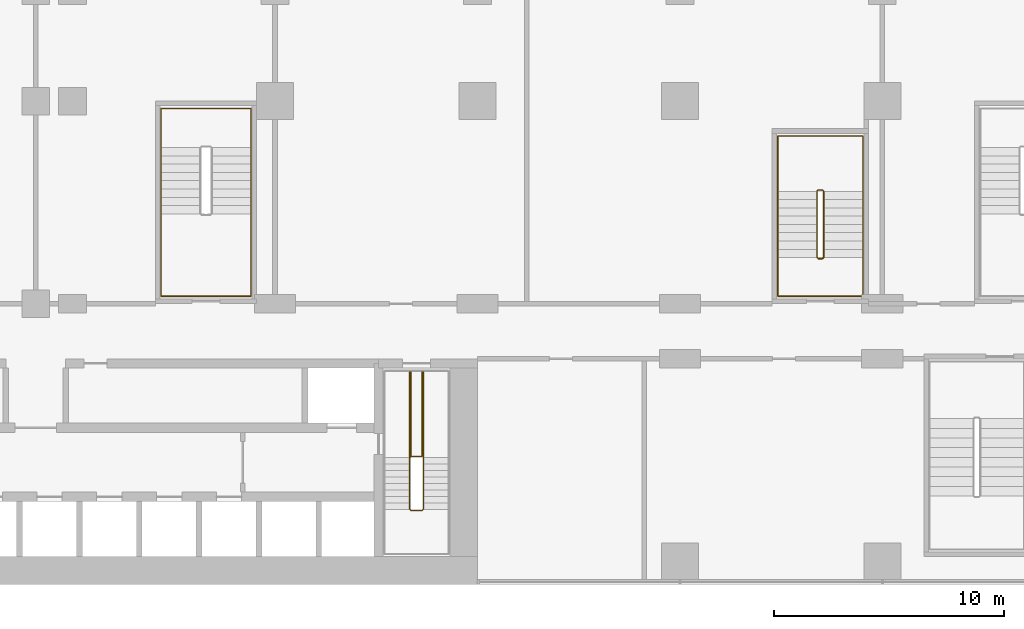
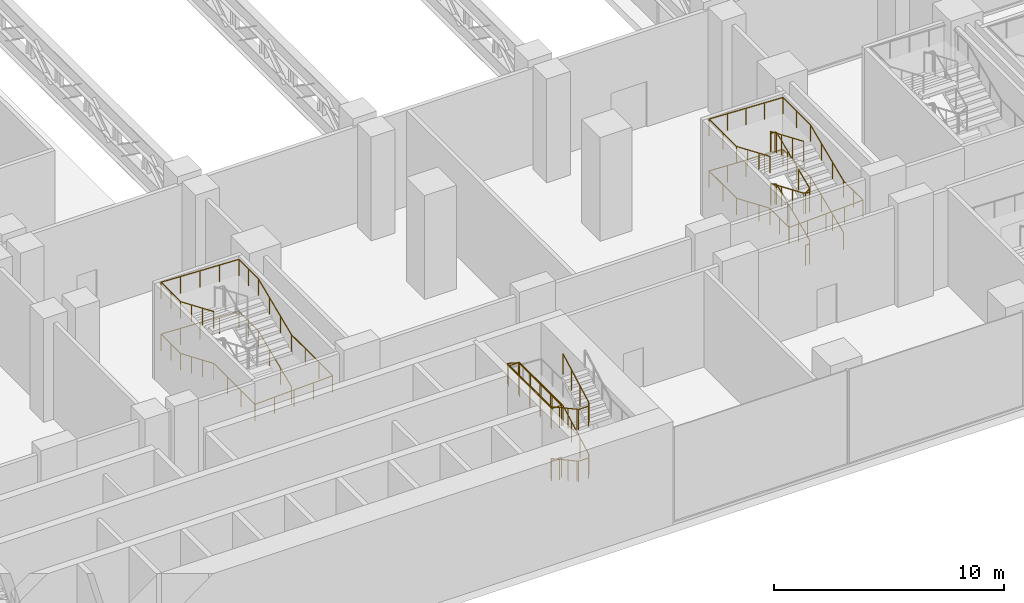
# One storey, part 26 of 30: 4 railings.
"""IFC4 building model written with IfcOpenShell, lengths in metres."""

from ifc_helpers import new_model, si_unit, direction, frame, origin, origin_2d, place, context, subcontext, project, spatial, circle, extrude, material, type_object, element, save


model = new_model("IFC4")

# Units and contexts
model_context = context("Model", 3, precision=1e-05, world=origin(), true_north=direction((0.0, 1.0)))
body_context = subcontext(model_context, "Body", "Model", "MODEL_VIEW")
ifc_project = project(units=[si_unit("LENGTHUNIT", "METRE"), si_unit("AREAUNIT", "SQUARE_METRE"), si_unit("VOLUMEUNIT", "CUBIC_METRE"), si_unit("PLANEANGLEUNIT", "RADIAN"), si_unit("MASSUNIT", "GRAM", prefix="KILO")], contexts=[model_context])

# Site, building, storey
site_placement = place(None, origin())
site = spatial("IfcSite", under=ifc_project, at=site_placement, CompositionType="ELEMENT")
building_placement = place(site_placement, origin())
building = spatial("IfcBuilding", under=site, at=building_placement, Name="Kemantara Hotel Tower", CompositionType="ELEMENT")
storey_placement = place(building_placement, frame((0.0, 0.0, 23.5)))
storey = spatial("IfcBuildingStorey", under=building, at=storey_placement, Name="L04", CompositionType="ELEMENT", Elevation=23.5)

# Railings
ifc_material = material(Name="Stainless steel balustrade", Category="steel")
railing_type_1 = type_object("IfcRailingType", Name="Stair guard 1100 mm", PredefinedType="GUARDRAIL", material=ifc_material)
railing_1_placement = place(storey_placement, frame((42.64990234375, 5.5, 5.5)))
element("IfcRailing", 1, at=railing_1_placement, inside=storey, type_object=railing_type_1, Name="L04 ST2 stair guard 1", PredefinedType="GUARDRAIL", context=body_context, shape_type="SweptSolid", body=[
    extrude(circle(Radius=0.02392578125, at=origin_2d()), frame((0.0, 0.0, 1.076171875), z_axis=(0.0, -0.87783706319, -0.478959382924), x_axis=(1.0, 0.0, 0.0)), (0.0, 0.0, 1.0), 2.5517578125),
    extrude(circle(Radius=0.02392578125, at=origin_2d()), frame((0.0, -2.239990234375, -0.14599609375), z_axis=(-0.295833358201, -0.297283521722, -0.907802363892), x_axis=(0.708833529934, -0.705375805398, 0.0)), (0.0, 0.0, 1.0), 0.16845703125),
    extrude(circle(Radius=0.02392578125, at=origin_2d()), frame((-0.0498046875, -2.2900390625, -0.298828125), z_axis=(-1.0, 0.0, 0.0), x_axis=(0.0, -1.0, 0.0)), (0.0, 0.0, 1.0), 0.5),
    extrude(circle(Radius=0.02392578125, at=origin_2d()), frame((-0.5498046875, -2.2900390625, -0.298828125), z_axis=(-0.707106781187, 0.707106781187, 0.0), x_axis=(-0.707106781187, -0.707106781187, 0.0)), (0.0, 0.0, 1.0), 0.07080078125),
    extrude(circle(Radius=0.02392578125, at=origin_2d()), frame((-0.599853515625, -2.239990234375, -0.298828125), z_axis=(0.0, 0.87783706319, -0.478959382924), x_axis=(-1.0, 0.0, 0.0)), (0.0, 0.0, 1.0), 2.5517578125),
    extrude(circle(Radius=0.02392578125, at=origin_2d()), frame((-0.599853515625, 0.0, -1.52099609375), z_axis=(0.0, 1.0, 0.0), x_axis=(-1.0, 0.0, 0.0)), (0.0, 0.0, 1.0), 3.780029296875),
    extrude(circle(Radius=0.02392578125, at=origin_2d()), frame((-0.599853515625, 3.780029296875, -1.52099609375), z_axis=(0.963499526908, 0.0, -0.267710032776), x_axis=(0.0, 1.0, 0.0)), (0.0, 0.0, 1.0), 0.57080078125),
    extrude(circle(Radius=0.02392578125, at=origin_2d()), frame((-0.0498046875, 3.780029296875, -1.673828125), z_axis=(0.0, -1.0, 0.0), x_axis=(1.0, 0.0, 0.0)), (0.0, 0.0, 1.0), 3.72998046875),
    extrude(circle(Radius=0.02392578125, at=origin_2d()), frame((-0.0498046875, 0.050048828125, -1.673828125), z_axis=(-1.0, 0.0, 0.0), x_axis=(0.0, -1.0, 0.0)), (0.0, 0.0, 1.0), 0.5),
    extrude(circle(Radius=0.02392578125, at=origin_2d()), frame((-0.5498046875, 0.050048828125, -1.673828125), z_axis=(0.0, 1.0, 0.0), x_axis=(-1.0, 0.0, 0.0)), (0.0, 0.0, 1.0), 3.72998046875),
    extrude(circle(Radius=0.02392578125, at=origin_2d()), frame((-0.5498046875, 3.780029296875, -1.673828125), z_axis=(1.0, 0.0, 0.0), x_axis=(0.0, 1.0, 0.0)), (0.0, 0.0, 1.0), 0.5498046875),
    extrude(circle(Radius=0.02392578125, at=origin_2d()), frame((0.0, 3.780029296875, -1.673828125), z_axis=(0.0, -1.0, 0.0), x_axis=(1.0, 0.0, 0.0)), (0.0, 0.0, 1.0), 3.780029296875),
    extrude(circle(Radius=0.02392578125, at=origin_2d()), frame((0.0, 0.0, -1.673828125), z_axis=(0.0, -0.87783706319, -0.478959382924), x_axis=(1.0, 0.0, 0.0)), (0.0, 0.0, 1.0), 2.5517578125),
    extrude(circle(Radius=0.02392578125, at=origin_2d()), frame((0.0, -2.239990234375, -2.89599609375), z_axis=(-0.295833358201, -0.297283521722, -0.907802363892), x_axis=(0.708833529934, -0.705375805398, 0.0)), (0.0, 0.0, 1.0), 0.16845703125),
    extrude(circle(Radius=0.02392578125, at=origin_2d()), frame((-0.0498046875, -2.2900390625, -3.048828125), z_axis=(-1.0, 0.0, 0.0), x_axis=(0.0, -1.0, 0.0)), (0.0, 0.0, 1.0), 0.5),
    extrude(circle(Radius=0.02392578125, at=origin_2d()), frame((-0.5498046875, -2.2900390625, -3.048828125), z_axis=(-0.707106781187, 0.707106781187, 0.0), x_axis=(-0.707106781187, -0.707106781187, 0.0)), (0.0, 0.0, 1.0), 0.07080078125),
    extrude(circle(Radius=0.02392578125, at=origin_2d()), frame((-0.599853515625, -2.239990234375, -3.048828125), z_axis=(0.0, 0.87783706319, -0.478959382924), x_axis=(-1.0, 0.0, 0.0)), (0.0, 0.0, 1.0), 2.5517578125),
    extrude(circle(Radius=0.02392578125, at=origin_2d()), frame((-0.599853515625, 0.0, -4.27099609375), z_axis=(0.297155754911, 0.297155754911, -0.90741220768), x_axis=(-0.707106781187, 0.707106781187, 0.0)), (0.0, 0.0, 1.0), 0.16845703125),
    extrude(circle(Radius=0.02392578125, at=origin_2d()), frame((-0.5498046875, 0.050048828125, -4.423828125), z_axis=(1.0, 0.0, 0.0), x_axis=(0.0, 1.0, 0.0)), (0.0, 0.0, 1.0), 0.5),
    extrude(circle(Radius=0.02099609375, at=origin_2d()), origin(), (0.0, 0.0, 1.0), 1.052001953125),
    extrude(circle(Radius=0.02099609375, at=origin_2d()), frame((0.0, -0.74658203125, -0.407470703125)), (0.0, 0.0, 1.0), 1.052001953125),
    extrude(circle(Radius=0.02099609375, at=origin_2d()), frame((0.0, -1.493408203125, -0.814697265625)), (0.0, 0.0, 1.0), 1.052001953125),
    extrude(circle(Radius=0.02099609375, at=origin_2d()), frame((0.0, -2.239990234375, -1.22216796875)), (0.0, 0.0, 1.0), 1.052001953125),
    extrude(circle(Radius=0.02099609375, at=origin_2d()), frame((-0.0498046875, -2.2900390625, -1.375)), (0.0, 0.0, 1.0), 1.052001953125),
    extrude(circle(Radius=0.02099609375, at=origin_2d()), frame((-0.5498046875, -2.2900390625, -1.375)), (0.0, 0.0, 1.0), 1.052001953125),
    extrude(circle(Radius=0.02099609375, at=origin_2d()), frame((-0.599853515625, -2.239990234375, -1.375)), (0.0, 0.0, 1.0), 1.052001953125),
    extrude(circle(Radius=0.02099609375, at=origin_2d()), frame((-0.599853515625, -1.493408203125, -1.782470703125)), (0.0, 0.0, 1.0), 1.052001953125),
    extrude(circle(Radius=0.02099609375, at=origin_2d()), frame((-0.599853515625, -0.74658203125, -2.189697265625)), (0.0, 0.0, 1.0), 1.052001953125),
    extrude(circle(Radius=0.02099609375, at=origin_2d()), frame((-0.599853515625, 0.0, -2.59716796875)), (0.0, 0.0, 1.0), 1.052001953125),
    extrude(circle(Radius=0.02099609375, at=origin_2d()), frame((-0.599853515625, 0.945068359375, -2.59716796875)), (0.0, 0.0, 1.0), 1.052001953125),
    extrude(circle(Radius=0.02099609375, at=origin_2d()), frame((-0.599853515625, 1.89013671875, -2.59716796875)), (0.0, 0.0, 1.0), 1.052001953125),
    extrude(circle(Radius=0.02099609375, at=origin_2d()), frame((-0.599853515625, 2.8349609375, -2.59716796875)), (0.0, 0.0, 1.0), 1.052001953125),
    extrude(circle(Radius=0.02099609375, at=origin_2d()), frame((-0.599853515625, 3.780029296875, -2.59716796875)), (0.0, 0.0, 1.0), 1.052001953125),
    extrude(circle(Radius=0.02099609375, at=origin_2d()), frame((-0.0498046875, 3.780029296875, -2.75)), (0.0, 0.0, 1.0), 1.052001953125),
    extrude(circle(Radius=0.02099609375, at=origin_2d()), frame((-0.0498046875, 2.84765625, -2.75)), (0.0, 0.0, 1.0), 1.052001953125),
    extrude(circle(Radius=0.02099609375, at=origin_2d()), frame((-0.0498046875, 1.9150390625, -2.75)), (0.0, 0.0, 1.0), 1.052001953125),
    extrude(circle(Radius=0.02099609375, at=origin_2d()), frame((-0.0498046875, 0.982421875, -2.75)), (0.0, 0.0, 1.0), 1.052001953125),
    extrude(circle(Radius=0.02099609375, at=origin_2d()), frame((-0.0498046875, 0.050048828125, -2.75)), (0.0, 0.0, 1.0), 1.052001953125),
    extrude(circle(Radius=0.02099609375, at=origin_2d()), frame((-0.5498046875, 0.050048828125, -2.75)), (0.0, 0.0, 1.0), 1.052001953125),
    extrude(circle(Radius=0.02099609375, at=origin_2d()), frame((-0.5498046875, 0.982421875, -2.75)), (0.0, 0.0, 1.0), 1.052001953125),
    extrude(circle(Radius=0.02099609375, at=origin_2d()), frame((-0.5498046875, 1.9150390625, -2.75)), (0.0, 0.0, 1.0), 1.052001953125),
    extrude(circle(Radius=0.02099609375, at=origin_2d()), frame((-0.5498046875, 2.84765625, -2.75)), (0.0, 0.0, 1.0), 1.052001953125),
    extrude(circle(Radius=0.02099609375, at=origin_2d()), frame((-0.5498046875, 3.780029296875, -2.75)), (0.0, 0.0, 1.0), 1.052001953125),
    extrude(circle(Radius=0.02099609375, at=origin_2d()), frame((0.0, 3.780029296875, -2.75)), (0.0, 0.0, 1.0), 1.052001953125),
    extrude(circle(Radius=0.02099609375, at=origin_2d()), frame((0.0, 2.8349609375, -2.75)), (0.0, 0.0, 1.0), 1.052001953125),
    extrude(circle(Radius=0.02099609375, at=origin_2d()), frame((0.0, 1.89013671875, -2.75)), (0.0, 0.0, 1.0), 1.052001953125),
    extrude(circle(Radius=0.02099609375, at=origin_2d()), frame((0.0, 0.945068359375, -2.75)), (0.0, 0.0, 1.0), 1.052001953125),
    extrude(circle(Radius=0.02099609375, at=origin_2d()), frame((0.0, 0.0, -2.75)), (0.0, 0.0, 1.0), 1.052001953125),
    extrude(circle(Radius=0.02099609375, at=origin_2d()), frame((0.0, -0.74658203125, -3.157470703125)), (0.0, 0.0, 1.0), 1.052001953125),
    extrude(circle(Radius=0.02099609375, at=origin_2d()), frame((0.0, -1.493408203125, -3.564697265625)), (0.0, 0.0, 1.0), 1.052001953125),
    extrude(circle(Radius=0.02099609375, at=origin_2d()), frame((0.0, -2.239990234375, -3.97216796875)), (0.0, 0.0, 1.0), 1.052001953125),
    extrude(circle(Radius=0.02099609375, at=origin_2d()), frame((-0.0498046875, -2.2900390625, -4.125)), (0.0, 0.0, 1.0), 1.052001953125),
    extrude(circle(Radius=0.02099609375, at=origin_2d()), frame((-0.5498046875, -2.2900390625, -4.125)), (0.0, 0.0, 1.0), 1.052001953125),
    extrude(circle(Radius=0.02099609375, at=origin_2d()), frame((-0.599853515625, -2.239990234375, -4.125)), (0.0, 0.0, 1.0), 1.052001953125),
    extrude(circle(Radius=0.02099609375, at=origin_2d()), frame((-0.599853515625, -1.493408203125, -4.532470703125)), (0.0, 0.0, 1.0), 1.052001953125),
    extrude(circle(Radius=0.02099609375, at=origin_2d()), frame((-0.599853515625, -0.74658203125, -4.939697265625)), (0.0, 0.0, 1.0), 1.052001953125),
    extrude(circle(Radius=0.02099609375, at=origin_2d()), frame((-0.599853515625, 0.0, -5.34716796875)), (0.0, 0.0, 1.0), 1.052001953125),
    extrude(circle(Radius=0.02099609375, at=origin_2d()), frame((-0.5498046875, 0.050048828125, -5.5)), (0.0, 0.0, 1.0), 1.052001953125),
    extrude(circle(Radius=0.02099609375, at=origin_2d()), frame((-0.0498046875, 0.050048828125, -5.5)), (0.0, 0.0, 1.0), 1.052001953125),
])
railing_2_placement = place(storey_placement, frame((59.75, 14.199951171875, 5.5)))
element("IfcRailing", 2, at=railing_2_placement, inside=storey, type_object=railing_type_1, Name="L04 ST3 stair guard 1", PredefinedType="GUARDRAIL", context=body_context, shape_type="SweptSolid", body=[
    extrude(circle(Radius=0.02392578125, at=origin_2d()), frame((0.0, 0.0, 1.076171875), z_axis=(0.0, 0.920547772064, -0.390630003133), x_axis=(-1.0, 0.0, 0.0)), (0.0, 0.0, 1.0), 3.128662109375),
    extrude(circle(Radius=0.02392578125, at=origin_2d()), frame((0.0, 2.880126953125, -0.14599609375), z_axis=(0.297283521722, 0.295833358201, -0.907802363892), x_axis=(-0.705375805398, 0.708833529934, 0.0)), (0.0, 0.0, 1.0), 0.16845703125),
    extrude(circle(Radius=0.02392578125, at=origin_2d()), frame((0.050048828125, 2.929931640625, -0.298828125), z_axis=(1.0, 0.0, 0.0), x_axis=(0.0, 1.0, 0.0)), (0.0, 0.0, 1.0), 0.199951171875),
    extrude(circle(Radius=0.02392578125, at=origin_2d()), frame((0.25, 2.929931640625, -0.298828125), z_axis=(0.708833529934, -0.705375805398, 0.0), x_axis=(0.705375805398, 0.708833529934, 0.0)), (0.0, 0.0, 1.0), 0.070556640625),
    extrude(circle(Radius=0.02392578125, at=origin_2d()), frame((0.300048828125, 2.880126953125, -0.298828125), z_axis=(0.0, -0.920547772064, -0.390630003133), x_axis=(1.0, 0.0, 0.0)), (0.0, 0.0, 1.0), 3.128662109375),
    extrude(circle(Radius=0.02392578125, at=origin_2d()), frame((0.300048828125, 0.0, -1.52099609375), z_axis=(-0.841019323802, -0.168368126347, -0.514138766309), x_axis=(0.196300278283, -0.98054382908, 0.0)), (0.0, 0.0, 1.0), 0.29736328125),
    extrude(circle(Radius=0.02392578125, at=origin_2d()), frame((0.050048828125, -0.050048828125, -1.673828125), z_axis=(1.0, 0.0, 0.0), x_axis=(0.0, 1.0, 0.0)), (0.0, 0.0, 1.0), 0.199951171875),
    extrude(circle(Radius=0.02392578125, at=origin_2d()), frame((0.25, -0.050048828125, -1.673828125), z_axis=(-0.98054382908, 0.196300278283, 0.0), x_axis=(-0.196300278283, -0.98054382908, 0.0)), (0.0, 0.0, 1.0), 0.2548828125),
    extrude(circle(Radius=0.02392578125, at=origin_2d()), frame((0.0, 0.0, -1.673828125), z_axis=(0.0, 0.920547772064, -0.390630003133), x_axis=(-1.0, 0.0, 0.0)), (0.0, 0.0, 1.0), 3.128662109375),
    extrude(circle(Radius=0.02392578125, at=origin_2d()), frame((0.0, 2.880126953125, -2.89599609375), z_axis=(0.297283521722, 0.295833358201, -0.907802363892), x_axis=(-0.705375805398, 0.708833529934, 0.0)), (0.0, 0.0, 1.0), 0.16845703125),
    extrude(circle(Radius=0.02392578125, at=origin_2d()), frame((0.050048828125, 2.929931640625, -3.048828125), z_axis=(1.0, 0.0, 0.0), x_axis=(0.0, 1.0, 0.0)), (0.0, 0.0, 1.0), 0.199951171875),
    extrude(circle(Radius=0.02392578125, at=origin_2d()), frame((0.25, 2.929931640625, -3.048828125), z_axis=(0.708833529934, -0.705375805398, 0.0), x_axis=(0.705375805398, 0.708833529934, 0.0)), (0.0, 0.0, 1.0), 0.070556640625),
    extrude(circle(Radius=0.02392578125, at=origin_2d()), frame((0.300048828125, 2.880126953125, -3.048828125), z_axis=(0.0, -0.920547772064, -0.390630003133), x_axis=(1.0, 0.0, 0.0)), (0.0, 0.0, 1.0), 3.128662109375),
    extrude(circle(Radius=0.02392578125, at=origin_2d()), frame((0.300048828125, 0.0, -4.27099609375), z_axis=(-0.297155754911, -0.297155754911, -0.90741220768), x_axis=(0.707106781187, -0.707106781187, 0.0)), (0.0, 0.0, 1.0), 0.16845703125),
    extrude(circle(Radius=0.02392578125, at=origin_2d()), frame((0.25, -0.050048828125, -4.423828125), z_axis=(-1.0, 0.0, 0.0), x_axis=(0.0, -1.0, 0.0)), (0.0, 0.0, 1.0), 0.199951171875),
    extrude(circle(Radius=0.02099609375, at=origin_2d()), origin(), (0.0, 0.0, 1.0), 1.052001953125),
    extrude(circle(Radius=0.02099609375, at=origin_2d()), frame((0.0, 0.9599609375, -0.407470703125)), (0.0, 0.0, 1.0), 1.052001953125),
    extrude(circle(Radius=0.02099609375, at=origin_2d()), frame((0.0, 1.920166015625, -0.814697265625)), (0.0, 0.0, 1.0), 1.052001953125),
    extrude(circle(Radius=0.02099609375, at=origin_2d()), frame((0.0, 2.880126953125, -1.22216796875)), (0.0, 0.0, 1.0), 1.052001953125),
    extrude(circle(Radius=0.02099609375, at=origin_2d()), frame((0.050048828125, 2.929931640625, -1.375)), (0.0, 0.0, 1.0), 1.052001953125),
    extrude(circle(Radius=0.02099609375, at=origin_2d()), frame((0.25, 2.929931640625, -1.375)), (0.0, 0.0, 1.0), 1.052001953125),
    extrude(circle(Radius=0.02099609375, at=origin_2d()), frame((0.300048828125, 2.880126953125, -1.375)), (0.0, 0.0, 1.0), 1.052001953125),
    extrude(circle(Radius=0.02099609375, at=origin_2d()), frame((0.300048828125, 1.920166015625, -1.782470703125)), (0.0, 0.0, 1.0), 1.052001953125),
    extrude(circle(Radius=0.02099609375, at=origin_2d()), frame((0.300048828125, 0.9599609375, -2.189697265625)), (0.0, 0.0, 1.0), 1.052001953125),
    extrude(circle(Radius=0.02099609375, at=origin_2d()), frame((0.300048828125, 0.0, -2.59716796875)), (0.0, 0.0, 1.0), 1.052001953125),
    extrude(circle(Radius=0.02099609375, at=origin_2d()), frame((0.050048828125, -0.050048828125, -2.75)), (0.0, 0.0, 1.0), 1.052001953125),
    extrude(circle(Radius=0.02099609375, at=origin_2d()), frame((0.25, -0.050048828125, -2.75)), (0.0, 0.0, 1.0), 1.052001953125),
    extrude(circle(Radius=0.02099609375, at=origin_2d()), frame((0.0, 0.0, -2.75)), (0.0, 0.0, 1.0), 1.052001953125),
    extrude(circle(Radius=0.02099609375, at=origin_2d()), frame((0.0, 0.9599609375, -3.157470703125)), (0.0, 0.0, 1.0), 1.052001953125),
    extrude(circle(Radius=0.02099609375, at=origin_2d()), frame((0.0, 1.920166015625, -3.564697265625)), (0.0, 0.0, 1.0), 1.052001953125),
    extrude(circle(Radius=0.02099609375, at=origin_2d()), frame((0.0, 2.880126953125, -3.97216796875)), (0.0, 0.0, 1.0), 1.052001953125),
    extrude(circle(Radius=0.02099609375, at=origin_2d()), frame((0.050048828125, 2.929931640625, -4.125)), (0.0, 0.0, 1.0), 1.052001953125),
    extrude(circle(Radius=0.02099609375, at=origin_2d()), frame((0.25, 2.929931640625, -4.125)), (0.0, 0.0, 1.0), 1.052001953125),
    extrude(circle(Radius=0.02099609375, at=origin_2d()), frame((0.300048828125, 2.880126953125, -4.125)), (0.0, 0.0, 1.0), 1.052001953125),
    extrude(circle(Radius=0.02099609375, at=origin_2d()), frame((0.300048828125, 1.920166015625, -4.532470703125)), (0.0, 0.0, 1.0), 1.052001953125),
    extrude(circle(Radius=0.02099609375, at=origin_2d()), frame((0.300048828125, 0.9599609375, -4.939697265625)), (0.0, 0.0, 1.0), 1.052001953125),
    extrude(circle(Radius=0.02099609375, at=origin_2d()), frame((0.300048828125, 0.0, -5.34716796875)), (0.0, 0.0, 1.0), 1.052001953125),
    extrude(circle(Radius=0.02099609375, at=origin_2d()), frame((0.25, -0.050048828125, -5.5)), (0.0, 0.0, 1.0), 1.052001953125),
    extrude(circle(Radius=0.02099609375, at=origin_2d()), frame((0.050048828125, -0.050048828125, -5.5)), (0.0, 0.0, 1.0), 1.052001953125),
])
railing_type_2 = type_object("IfcRailingType", Name="Stair handrail 900 mm", PredefinedType="HANDRAIL", material=ifc_material)
railing_3_placement = place(storey_placement, frame((61.75, 14.199951171875, 0.15283203125)))
element("IfcRailing", 3, at=railing_3_placement, inside=storey, type_object=railing_type_2, Name="L04 ST3 stair handrail 1", PredefinedType="HANDRAIL", context=body_context, shape_type="SweptSolid", body=[
    extrude(circle(Radius=0.02392578125, at=origin_2d()), frame((0.0, 0.0, 0.8759765625), z_axis=(0.0, 0.920547772064, 0.390630003133), x_axis=(-1.0, 0.0, 0.0)), (0.0, 0.0, 1.0), 3.128662109375),
    extrude(circle(Radius=0.02392578125, at=origin_2d()), frame((0.0, 2.880126953125, 2.09814453125), z_axis=(0.0, 1.0, 0.0), x_axis=(-1.0, 0.0, 0.0)), (0.0, 0.0, 1.0), 2.39990234375),
    extrude(circle(Radius=0.02392578125, at=origin_2d()), frame((0.0, 5.280029296875, 2.09814453125), z_axis=(-0.999147976703, 0.0, 0.041271305405), x_axis=(0.0, -1.0, 0.0)), (0.0, 0.0, 1.0), 3.703125),
    extrude(circle(Radius=0.02392578125, at=origin_2d()), frame((-3.699951171875, 5.280029296875, 2.2509765625), z_axis=(0.0, -1.0, 0.0), x_axis=(1.0, 0.0, 0.0)), (0.0, 0.0, 1.0), 2.39990234375),
    extrude(circle(Radius=0.02392578125, at=origin_2d()), frame((-3.699951171875, 2.880126953125, 2.2509765625), z_axis=(0.0, -0.920547772064, 0.390630003133), x_axis=(1.0, 0.0, 0.0)), (0.0, 0.0, 1.0), 3.128662109375),
    extrude(circle(Radius=0.02392578125, at=origin_2d()), frame((-3.699951171875, 0.0, 3.47314453125), z_axis=(0.0, -1.0, 0.0), x_axis=(1.0, 0.0, 0.0)), (0.0, 0.0, 1.0), 1.679931640625),
    extrude(circle(Radius=0.02392578125, at=origin_2d()), frame((-3.699951171875, -1.679931640625, 3.47314453125), z_axis=(0.999147976703, 0.0, 0.041271305405), x_axis=(0.0, 1.0, 0.0)), (0.0, 0.0, 1.0), 3.703125),
    extrude(circle(Radius=0.02392578125, at=origin_2d()), frame((0.0, -1.679931640625, 3.6259765625), z_axis=(0.0, 1.0, 0.0), x_axis=(-1.0, 0.0, 0.0)), (0.0, 0.0, 1.0), 1.679931640625),
    extrude(circle(Radius=0.02392578125, at=origin_2d()), frame((0.0, 0.0, 3.6259765625), z_axis=(0.0, 0.920547772064, 0.390630003133), x_axis=(-1.0, 0.0, 0.0)), (0.0, 0.0, 1.0), 3.128662109375),
    extrude(circle(Radius=0.02392578125, at=origin_2d()), frame((0.0, 2.880126953125, 4.84814453125), z_axis=(0.0, 1.0, 0.0), x_axis=(-1.0, 0.0, 0.0)), (0.0, 0.0, 1.0), 2.39990234375),
    extrude(circle(Radius=0.02392578125, at=origin_2d()), frame((0.0, 5.280029296875, 4.84814453125), z_axis=(-0.999147976703, 0.0, 0.041271305405), x_axis=(0.0, -1.0, 0.0)), (0.0, 0.0, 1.0), 3.703125),
    extrude(circle(Radius=0.02392578125, at=origin_2d()), frame((-3.699951171875, 5.280029296875, 5.0009765625), z_axis=(0.0, -1.0, 0.0), x_axis=(1.0, 0.0, 0.0)), (0.0, 0.0, 1.0), 2.39990234375),
    extrude(circle(Radius=0.02392578125, at=origin_2d()), frame((-3.699951171875, 2.880126953125, 5.0009765625), z_axis=(0.0, -0.920547772064, 0.390630003133), x_axis=(1.0, 0.0, 0.0)), (0.0, 0.0, 1.0), 3.128662109375),
    extrude(circle(Radius=0.02099609375, at=origin_2d()), origin(), (0.0, 0.0, 1.0), 0.851806640625),
    extrude(circle(Radius=0.02099609375, at=origin_2d()), frame((0.0, 0.9599609375, 0.407470703125)), (0.0, 0.0, 1.0), 0.851806640625),
    extrude(circle(Radius=0.02099609375, at=origin_2d()), frame((0.0, 1.920166015625, 0.814697265625)), (0.0, 0.0, 1.0), 0.851806640625),
    extrude(circle(Radius=0.02099609375, at=origin_2d()), frame((0.0, 2.880126953125, 1.22216796875)), (0.0, 0.0, 1.0), 0.851806640625),
    extrude(circle(Radius=0.02099609375, at=origin_2d()), frame((0.0, 4.080078125, 1.22216796875)), (0.0, 0.0, 1.0), 0.851806640625),
    extrude(circle(Radius=0.02099609375, at=origin_2d()), frame((0.0, 5.280029296875, 1.22216796875)), (0.0, 0.0, 1.0), 0.851806640625),
    extrude(circle(Radius=0.02099609375, at=origin_2d()), frame((-0.925048828125, 5.280029296875, 1.26025390625)), (0.0, 0.0, 1.0), 0.851806640625),
    extrude(circle(Radius=0.02099609375, at=origin_2d()), frame((-1.85009765625, 5.280029296875, 1.298583984375)), (0.0, 0.0, 1.0), 0.851806640625),
    extrude(circle(Radius=0.02099609375, at=origin_2d()), frame((-2.77490234375, 5.280029296875, 1.3369140625)), (0.0, 0.0, 1.0), 0.851806640625),
    extrude(circle(Radius=0.02099609375, at=origin_2d()), frame((-3.699951171875, 5.280029296875, 1.375)), (0.0, 0.0, 1.0), 0.851806640625),
    extrude(circle(Radius=0.02099609375, at=origin_2d()), frame((-3.699951171875, 4.080078125, 1.375)), (0.0, 0.0, 1.0), 0.851806640625),
    extrude(circle(Radius=0.02099609375, at=origin_2d()), frame((-3.699951171875, 2.880126953125, 1.375)), (0.0, 0.0, 1.0), 0.851806640625),
    extrude(circle(Radius=0.02099609375, at=origin_2d()), frame((-3.699951171875, 1.920166015625, 1.782470703125)), (0.0, 0.0, 1.0), 0.851806640625),
    extrude(circle(Radius=0.02099609375, at=origin_2d()), frame((-3.699951171875, 0.9599609375, 2.189697265625)), (0.0, 0.0, 1.0), 0.851806640625),
    extrude(circle(Radius=0.02099609375, at=origin_2d()), frame((-3.699951171875, 0.0, 2.59716796875)), (0.0, 0.0, 1.0), 0.851806640625),
    extrude(circle(Radius=0.02099609375, at=origin_2d()), frame((-3.699951171875, -0.83984375, 2.59716796875)), (0.0, 0.0, 1.0), 0.851806640625),
    extrude(circle(Radius=0.02099609375, at=origin_2d()), frame((-3.699951171875, -1.679931640625, 2.59716796875)), (0.0, 0.0, 1.0), 0.851806640625),
    extrude(circle(Radius=0.02099609375, at=origin_2d()), frame((-2.77490234375, -1.679931640625, 2.63525390625)), (0.0, 0.0, 1.0), 0.851806640625),
    extrude(circle(Radius=0.02099609375, at=origin_2d()), frame((-1.85009765625, -1.679931640625, 2.673583984375)), (0.0, 0.0, 1.0), 0.851806640625),
    extrude(circle(Radius=0.02099609375, at=origin_2d()), frame((-0.925048828125, -1.679931640625, 2.7119140625)), (0.0, 0.0, 1.0), 0.851806640625),
    extrude(circle(Radius=0.02099609375, at=origin_2d()), frame((0.0, -1.679931640625, 2.75)), (0.0, 0.0, 1.0), 0.851806640625),
    extrude(circle(Radius=0.02099609375, at=origin_2d()), frame((0.0, -0.83984375, 2.75)), (0.0, 0.0, 1.0), 0.851806640625),
    extrude(circle(Radius=0.02099609375, at=origin_2d()), frame((0.0, 0.0, 2.75)), (0.0, 0.0, 1.0), 0.851806640625),
    extrude(circle(Radius=0.02099609375, at=origin_2d()), frame((0.0, 0.9599609375, 3.157470703125)), (0.0, 0.0, 1.0), 0.851806640625),
    extrude(circle(Radius=0.02099609375, at=origin_2d()), frame((0.0, 1.920166015625, 3.564697265625)), (0.0, 0.0, 1.0), 0.851806640625),
    extrude(circle(Radius=0.02099609375, at=origin_2d()), frame((0.0, 2.880126953125, 3.97216796875)), (0.0, 0.0, 1.0), 0.851806640625),
    extrude(circle(Radius=0.02099609375, at=origin_2d()), frame((0.0, 4.080078125, 3.97216796875)), (0.0, 0.0, 1.0), 0.851806640625),
    extrude(circle(Radius=0.02099609375, at=origin_2d()), frame((0.0, 5.280029296875, 3.97216796875)), (0.0, 0.0, 1.0), 0.851806640625),
    extrude(circle(Radius=0.02099609375, at=origin_2d()), frame((-0.925048828125, 5.280029296875, 4.01025390625)), (0.0, 0.0, 1.0), 0.851806640625),
    extrude(circle(Radius=0.02099609375, at=origin_2d()), frame((-1.85009765625, 5.280029296875, 4.048583984375)), (0.0, 0.0, 1.0), 0.851806640625),
    extrude(circle(Radius=0.02099609375, at=origin_2d()), frame((-2.77490234375, 5.280029296875, 4.0869140625)), (0.0, 0.0, 1.0), 0.851806640625),
    extrude(circle(Radius=0.02099609375, at=origin_2d()), frame((-3.699951171875, 5.280029296875, 4.125)), (0.0, 0.0, 1.0), 0.851806640625),
    extrude(circle(Radius=0.02099609375, at=origin_2d()), frame((-3.699951171875, 4.080078125, 4.125)), (0.0, 0.0, 1.0), 0.851806640625),
    extrude(circle(Radius=0.02099609375, at=origin_2d()), frame((-3.699951171875, 2.880126953125, 4.125)), (0.0, 0.0, 1.0), 0.851806640625),
    extrude(circle(Radius=0.02099609375, at=origin_2d()), frame((-3.699951171875, 1.920166015625, 4.532470703125)), (0.0, 0.0, 1.0), 0.851806640625),
    extrude(circle(Radius=0.02099609375, at=origin_2d()), frame((-3.699951171875, 0.9599609375, 4.939697265625)), (0.0, 0.0, 1.0), 0.851806640625),
    extrude(circle(Radius=0.02099609375, at=origin_2d()), frame((-3.699951171875, 0.0, 5.34716796875)), (0.0, 0.0, 1.0), 0.851806640625),
])
railing_4_placement = place(storey_placement, frame((35.14990234375, 16.10009765625, 0.15283203125)))
element("IfcRailing", 4, at=railing_4_placement, inside=storey, type_object=railing_type_2, Name="L04 PS3 stair handrail 1", PredefinedType="HANDRAIL", context=body_context, shape_type="SweptSolid", body=[
    extrude(circle(Radius=0.02392578125, at=origin_2d()), frame((0.0, 0.0, 0.8759765625), z_axis=(0.0, 0.920535863683, 0.390658064903), x_axis=(-1.0, 0.0, 0.0)), (0.0, 0.0, 1.0), 3.12841796875),
    extrude(circle(Radius=0.02392578125, at=origin_2d()), frame((0.0, 2.8798828125, 2.09814453125), z_axis=(0.0, 1.0, 0.0), x_axis=(-1.0, 0.0, 0.0)), (0.0, 0.0, 1.0), 1.699951171875),
    extrude(circle(Radius=0.02392578125, at=origin_2d()), frame((0.0, 4.579833984375, 2.09814453125), z_axis=(-0.999233006938, 0.0, 0.039158624161), x_axis=(0.0, -1.0, 0.0)), (0.0, 0.0, 1.0), 3.90283203125),
    extrude(circle(Radius=0.02392578125, at=origin_2d()), frame((-3.89990234375, 4.579833984375, 2.2509765625), z_axis=(0.0, -1.0, 0.0), x_axis=(1.0, 0.0, 0.0)), (0.0, 0.0, 1.0), 1.699951171875),
    extrude(circle(Radius=0.02392578125, at=origin_2d()), frame((-3.89990234375, 2.8798828125, 2.2509765625), z_axis=(0.0, -0.920535863683, 0.390658064903), x_axis=(1.0, 0.0, 0.0)), (0.0, 0.0, 1.0), 3.12841796875),
    extrude(circle(Radius=0.02392578125, at=origin_2d()), frame((-3.89990234375, 0.0, 3.47314453125), z_axis=(0.0, -1.0, 0.0), x_axis=(1.0, 0.0, 0.0)), (0.0, 0.0, 1.0), 3.580078125),
    extrude(circle(Radius=0.02392578125, at=origin_2d()), frame((-3.89990234375, -3.580078125, 3.47314453125), z_axis=(0.999233006938, 0.0, 0.039158624161), x_axis=(0.0, 1.0, 0.0)), (0.0, 0.0, 1.0), 3.90283203125),
    extrude(circle(Radius=0.02392578125, at=origin_2d()), frame((0.0, -3.580078125, 3.6259765625), z_axis=(0.0, 1.0, 0.0), x_axis=(-1.0, 0.0, 0.0)), (0.0, 0.0, 1.0), 3.580078125),
    extrude(circle(Radius=0.02392578125, at=origin_2d()), frame((0.0, 0.0, 3.6259765625), z_axis=(0.0, 0.920535863683, 0.390658064903), x_axis=(-1.0, 0.0, 0.0)), (0.0, 0.0, 1.0), 3.12841796875),
    extrude(circle(Radius=0.02392578125, at=origin_2d()), frame((0.0, 2.8798828125, 4.84814453125), z_axis=(0.0, 1.0, 0.0), x_axis=(-1.0, 0.0, 0.0)), (0.0, 0.0, 1.0), 1.699951171875),
    extrude(circle(Radius=0.02392578125, at=origin_2d()), frame((0.0, 4.579833984375, 4.84814453125), z_axis=(-0.999233006938, 0.0, 0.039158624161), x_axis=(0.0, -1.0, 0.0)), (0.0, 0.0, 1.0), 3.90283203125),
    extrude(circle(Radius=0.02392578125, at=origin_2d()), frame((-3.89990234375, 4.579833984375, 5.0009765625), z_axis=(0.0, -1.0, 0.0), x_axis=(1.0, 0.0, 0.0)), (0.0, 0.0, 1.0), 1.699951171875),
    extrude(circle(Radius=0.02392578125, at=origin_2d()), frame((-3.89990234375, 2.8798828125, 5.0009765625), z_axis=(0.0, -0.920535863683, 0.390658064903), x_axis=(1.0, 0.0, 0.0)), (0.0, 0.0, 1.0), 3.12841796875),
    extrude(circle(Radius=0.02099609375, at=origin_2d()), origin(), (0.0, 0.0, 1.0), 0.851806640625),
    extrude(circle(Radius=0.02099609375, at=origin_2d()), frame((0.0, 0.9599609375, 0.407470703125)), (0.0, 0.0, 1.0), 0.851806640625),
    extrude(circle(Radius=0.02099609375, at=origin_2d()), frame((0.0, 1.919921875, 0.814697265625)), (0.0, 0.0, 1.0), 0.851806640625),
    extrude(circle(Radius=0.02099609375, at=origin_2d()), frame((0.0, 2.8798828125, 1.22216796875)), (0.0, 0.0, 1.0), 0.851806640625),
    extrude(circle(Radius=0.02099609375, at=origin_2d()), frame((0.0, 3.72998046875, 1.22216796875)), (0.0, 0.0, 1.0), 0.851806640625),
    extrude(circle(Radius=0.02099609375, at=origin_2d()), frame((0.0, 4.579833984375, 1.22216796875)), (0.0, 0.0, 1.0), 0.851806640625),
    extrude(circle(Radius=0.02099609375, at=origin_2d()), frame((-0.97509765625, 4.579833984375, 1.26025390625)), (0.0, 0.0, 1.0), 0.851806640625),
    extrude(circle(Radius=0.02099609375, at=origin_2d()), frame((-1.949951171875, 4.579833984375, 1.298583984375)), (0.0, 0.0, 1.0), 0.851806640625),
    extrude(circle(Radius=0.02099609375, at=origin_2d()), frame((-2.9248046875, 4.579833984375, 1.3369140625)), (0.0, 0.0, 1.0), 0.851806640625),
    extrude(circle(Radius=0.02099609375, at=origin_2d()), frame((-3.89990234375, 4.579833984375, 1.375)), (0.0, 0.0, 1.0), 0.851806640625),
    extrude(circle(Radius=0.02099609375, at=origin_2d()), frame((-3.89990234375, 3.72998046875, 1.375)), (0.0, 0.0, 1.0), 0.851806640625),
    extrude(circle(Radius=0.02099609375, at=origin_2d()), frame((-3.89990234375, 2.8798828125, 1.375)), (0.0, 0.0, 1.0), 0.851806640625),
    extrude(circle(Radius=0.02099609375, at=origin_2d()), frame((-3.89990234375, 1.919921875, 1.782470703125)), (0.0, 0.0, 1.0), 0.851806640625),
    extrude(circle(Radius=0.02099609375, at=origin_2d()), frame((-3.89990234375, 0.9599609375, 2.189697265625)), (0.0, 0.0, 1.0), 0.851806640625),
    extrude(circle(Radius=0.02099609375, at=origin_2d()), frame((-3.89990234375, 0.0, 2.59716796875)), (0.0, 0.0, 1.0), 0.851806640625),
    extrude(circle(Radius=0.02099609375, at=origin_2d()), frame((-3.89990234375, -1.193359375, 2.59716796875)), (0.0, 0.0, 1.0), 0.851806640625),
    extrude(circle(Radius=0.02099609375, at=origin_2d()), frame((-3.89990234375, -2.38671875, 2.59716796875)), (0.0, 0.0, 1.0), 0.851806640625),
    extrude(circle(Radius=0.02099609375, at=origin_2d()), frame((-3.89990234375, -3.580078125, 2.59716796875)), (0.0, 0.0, 1.0), 0.851806640625),
    extrude(circle(Radius=0.02099609375, at=origin_2d()), frame((-2.9248046875, -3.580078125, 2.63525390625)), (0.0, 0.0, 1.0), 0.851806640625),
    extrude(circle(Radius=0.02099609375, at=origin_2d()), frame((-1.949951171875, -3.580078125, 2.673583984375)), (0.0, 0.0, 1.0), 0.851806640625),
    extrude(circle(Radius=0.02099609375, at=origin_2d()), frame((-0.97509765625, -3.580078125, 2.7119140625)), (0.0, 0.0, 1.0), 0.851806640625),
    extrude(circle(Radius=0.02099609375, at=origin_2d()), frame((0.0, -3.580078125, 2.75)), (0.0, 0.0, 1.0), 0.851806640625),
    extrude(circle(Radius=0.02099609375, at=origin_2d()), frame((0.0, -2.38671875, 2.75)), (0.0, 0.0, 1.0), 0.851806640625),
    extrude(circle(Radius=0.02099609375, at=origin_2d()), frame((0.0, -1.193359375, 2.75)), (0.0, 0.0, 1.0), 0.851806640625),
    extrude(circle(Radius=0.02099609375, at=origin_2d()), frame((0.0, 0.0, 2.75)), (0.0, 0.0, 1.0), 0.851806640625),
    extrude(circle(Radius=0.02099609375, at=origin_2d()), frame((0.0, 0.9599609375, 3.157470703125)), (0.0, 0.0, 1.0), 0.851806640625),
    extrude(circle(Radius=0.02099609375, at=origin_2d()), frame((0.0, 1.919921875, 3.564697265625)), (0.0, 0.0, 1.0), 0.851806640625),
    extrude(circle(Radius=0.02099609375, at=origin_2d()), frame((0.0, 2.8798828125, 3.97216796875)), (0.0, 0.0, 1.0), 0.851806640625),
    extrude(circle(Radius=0.02099609375, at=origin_2d()), frame((0.0, 3.72998046875, 3.97216796875)), (0.0, 0.0, 1.0), 0.851806640625),
    extrude(circle(Radius=0.02099609375, at=origin_2d()), frame((0.0, 4.579833984375, 3.97216796875)), (0.0, 0.0, 1.0), 0.851806640625),
    extrude(circle(Radius=0.02099609375, at=origin_2d()), frame((-0.97509765625, 4.579833984375, 4.01025390625)), (0.0, 0.0, 1.0), 0.851806640625),
    extrude(circle(Radius=0.02099609375, at=origin_2d()), frame((-1.949951171875, 4.579833984375, 4.048583984375)), (0.0, 0.0, 1.0), 0.851806640625),
    extrude(circle(Radius=0.02099609375, at=origin_2d()), frame((-2.9248046875, 4.579833984375, 4.0869140625)), (0.0, 0.0, 1.0), 0.851806640625),
    extrude(circle(Radius=0.02099609375, at=origin_2d()), frame((-3.89990234375, 4.579833984375, 4.125)), (0.0, 0.0, 1.0), 0.851806640625),
    extrude(circle(Radius=0.02099609375, at=origin_2d()), frame((-3.89990234375, 3.72998046875, 4.125)), (0.0, 0.0, 1.0), 0.851806640625),
    extrude(circle(Radius=0.02099609375, at=origin_2d()), frame((-3.89990234375, 2.8798828125, 4.125)), (0.0, 0.0, 1.0), 0.851806640625),
    extrude(circle(Radius=0.02099609375, at=origin_2d()), frame((-3.89990234375, 1.919921875, 4.532470703125)), (0.0, 0.0, 1.0), 0.851806640625),
    extrude(circle(Radius=0.02099609375, at=origin_2d()), frame((-3.89990234375, 0.9599609375, 4.939697265625)), (0.0, 0.0, 1.0), 0.851806640625),
    extrude(circle(Radius=0.02099609375, at=origin_2d()), frame((-3.89990234375, 0.0, 5.34716796875)), (0.0, 0.0, 1.0), 0.851806640625),
])

save(model, "model.ifc")
